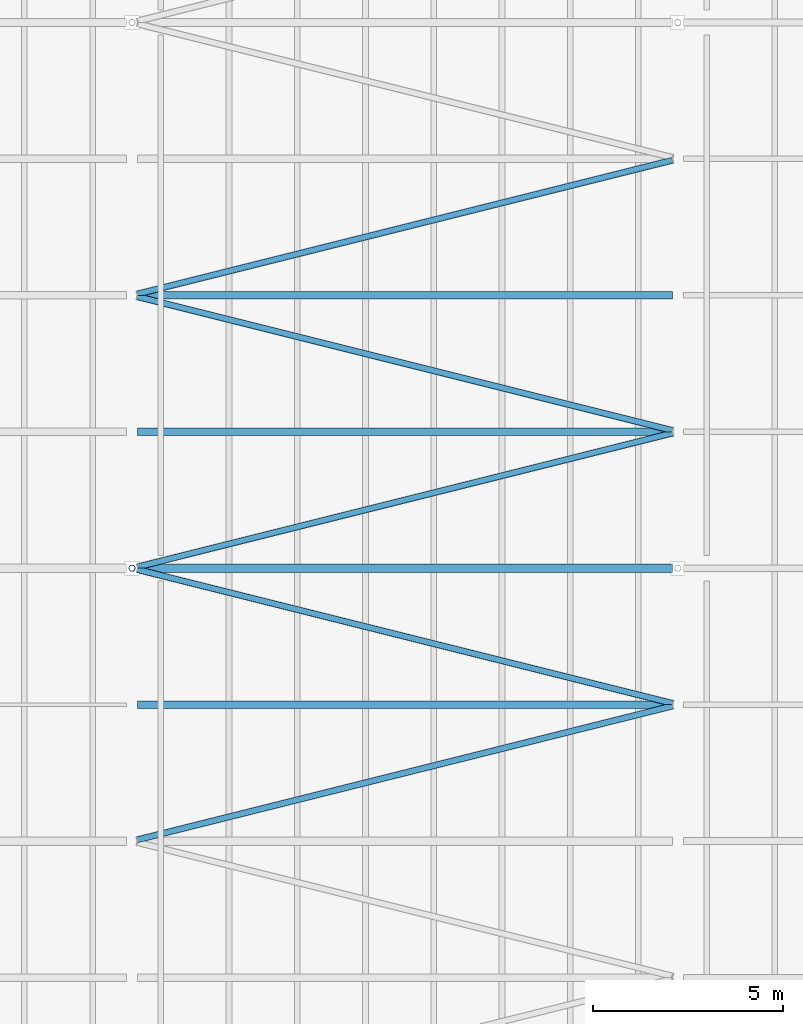
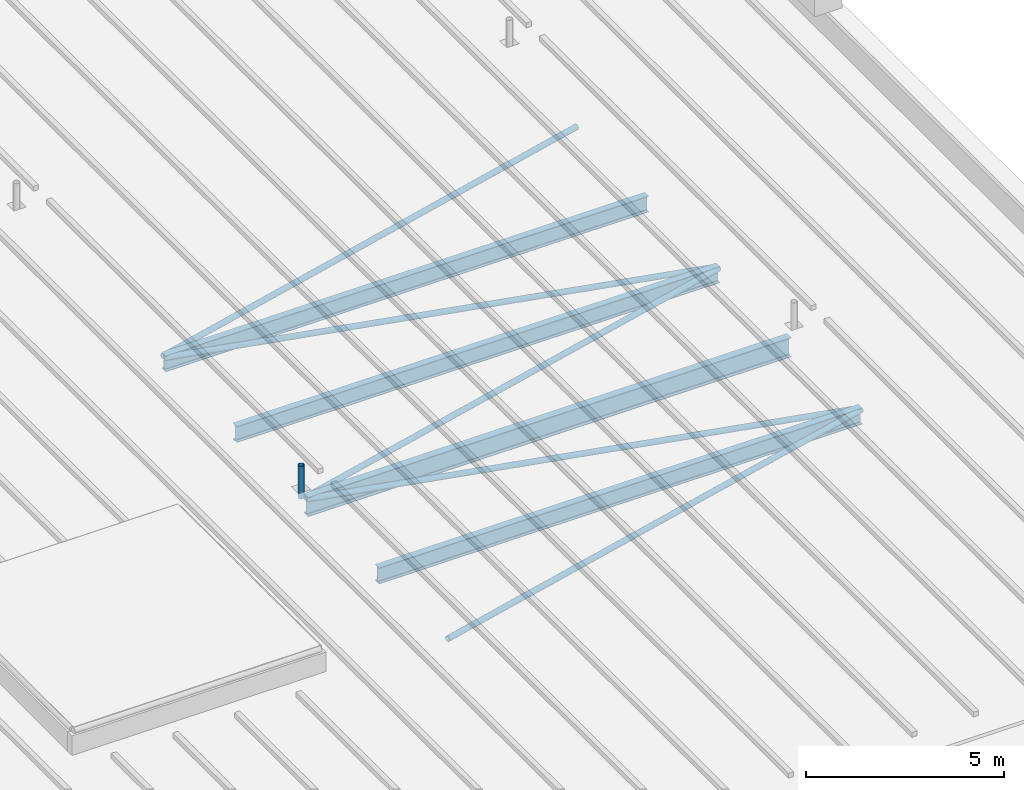
# One storey, part 43 of 120: 6 members, 4 beams.
"""IFC4 building model written with IfcOpenShell, lengths in metres."""

from ifc_helpers import new_model, si_unit, direction, frame, origin, origin_2d, place, context, subcontext, project, spatial, hollow_circle, i_section, extrude, material, material_profile, profile_set, type_object, element, save


model = new_model("IFC4")

# Units and contexts
model_context = context("Model", 3, precision=1e-05, world=origin(), true_north=direction((0.0, 1.0)))
body_context = subcontext(model_context, "Body", "Model", "MODEL_VIEW")
ifc_project = project(units=[si_unit("LENGTHUNIT", "METRE"), si_unit("AREAUNIT", "SQUARE_METRE"), si_unit("VOLUMEUNIT", "CUBIC_METRE"), si_unit("PLANEANGLEUNIT", "RADIAN"), si_unit("MASSUNIT", "GRAM", prefix="KILO")], contexts=[model_context])

# Site, building, storey
site_placement = place(None, origin())
site = spatial("IfcSite", under=ifc_project, at=site_placement, CompositionType="ELEMENT")
building_placement = place(site_placement, origin())
building = spatial("IfcBuilding", under=site, at=building_placement, Name="Kupolbacken Congress Centre", CompositionType="ELEMENT")
storey_placement = place(building_placement, frame((0.0, 0.0, 21.60009765625)))
storey = spatial("IfcBuildingStorey", under=building, at=storey_placement, Name="L06", CompositionType="ELEMENT", Elevation=21.60009765625)

# Beams
ifc_material_1 = material(Name="Steel S355", Category="steel")
ifc_material_profile_1 = material_profile(ifc_material_1, i_section(OverallWidth=0.199951171875, OverallDepth=0.5, WebThickness=0.01025390625, FlangeThickness=0.01611328125, FilletRadius=0.02099609375, at=origin_2d()), Name="IPE 500")
ifc_profile_set_1 = profile_set([ifc_material_profile_1], Name="Steel S355")
beam_type_1 = type_object("IfcBeamType", Name="B09 beam IPE 500", PredefinedType="BEAM", material=ifc_profile_set_1)
for number, where, z_axis, x_axis, name in (
    (1, (180.14501953125, 57.60009765625, -0.25), (1.0, 0.0, 0.0), (0.0, 1.0, 0.0), "HR/P04-07"),
    (2, (180.14501953125, 64.800048828125, -0.25), (1.0, 0.0, 0.0), (0.0, 1.0, 0.0), "HR/P06-07"),
    (3, (180.14501953125, 68.39990234375, -0.25), (1.0, 0.0, 0.0), (0.0, 1.0, 0.0), "HR/P07-07"),
):
    element("IfcBeam", number, at=place(storey_placement, frame(where, z_axis=z_axis, x_axis=x_axis)), inside=storey, type_object=beam_type_1, Name=name, PredefinedType="BEAM", context=body_context, shape_type="SweptSolid", body=[
        extrude(i_section(OverallWidth=0.199951171875, OverallDepth=0.5, WebThickness=0.01025390625, FlangeThickness=0.01611328125, FilletRadius=0.02099609375, at=origin_2d()), origin(), (0.0, 0.0, 1.0), 14.10986328125),
    ])
ifc_material_2 = material(Name="Steel S355", Category="steel")
ifc_material_profile_2 = material_profile(ifc_material_2, i_section(OverallWidth=0.219970703125, OverallDepth=0.60009765625, WebThickness=0.011962890625, FlangeThickness=0.01904296875, FilletRadius=0.02392578125, at=origin_2d()), Name="IPE 600")
ifc_profile_set_2 = profile_set([ifc_material_profile_2], Name="Steel S355")
beam_type_2 = type_object("IfcBeamType", Name="B11 beam IPE 600", PredefinedType="BEAM", material=ifc_profile_set_2)
beam_placement = place(storey_placement, frame((180.14501953125, 61.199951171875, -0.300048828125), z_axis=(1.0, 0.0, 0.0), x_axis=(0.0, 1.0, 0.0)))
element("IfcBeam", 4, at=beam_placement, inside=storey, type_object=beam_type_2, Name="HR/X05-07", PredefinedType="BEAM", context=body_context, shape_type="SweptSolid", body=[
    extrude(i_section(OverallWidth=0.219970703125, OverallDepth=0.60009765625, WebThickness=0.011962890625, FlangeThickness=0.01904296875, FilletRadius=0.02392578125, at=origin_2d()), origin(), (0.0, 0.0, 1.0), 14.10986328125),
])

# Members
ifc_material_3 = material(Name="Steel S355", Category="steel")
ifc_material_profile_3 = material_profile(ifc_material_3, hollow_circle(Radius=0.084228515625, WallThickness=0.008056640625, at=origin_2d()), Name="CHS 168.3 x 8")
ifc_profile_set_3 = profile_set([ifc_material_profile_3], Name="Steel S355")
member_type_1 = type_object("IfcMemberType", Name="M20 transfer truss post CHS 168.3 x 8", PredefinedType="STRUT", material=ifc_profile_set_3)
member_placement = place(storey_placement, frame((180.0, 61.199951171875, -0.010009765625), z_axis=(0.0, 0.0, 1.0), x_axis=(1.0, 0.0, 0.0)))
element("IfcMember", 5, at=member_placement, inside=storey, type_object=member_type_1, Name="Roof stay anchor post M7S.1", PredefinedType="STRUT", context=body_context, shape_type="SweptSolid", body=[
    extrude(hollow_circle(Radius=0.084228515625, WallThickness=0.008056640625, at=origin_2d()), origin(), (0.0, 0.0, 1.0), 1.010009765625),
])
ifc_material_4 = material(Name="Steel S355", Category="steel")
ifc_material_profile_4 = material_profile(ifc_material_4, hollow_circle(Radius=0.084228515625, WallThickness=0.008056640625, at=origin_2d()), Name="CHS 168.3 x 8")
ifc_profile_set_4 = profile_set([ifc_material_profile_4], Name="Steel S355")
member_type_2 = type_object("IfcMemberType", Name="M21 brace CHS 168.3 x 8", PredefinedType="BRACE", material=ifc_profile_set_4)
for number, where, z_axis, x_axis, name in (
    (6, (180.140625, 54.03515625, -0.084228515625), (0.970140526498, 0.24254351949, 0.0), (-0.24254351949, 0.970140526498, 0.0), "HR/RB/07-03"),
    (7, (194.25927734375, 57.63525390625, -0.084228515625), (-0.970144473737, 0.242527730535, 0.0), (-0.242527730535, -0.970144473737, 0.0), "HR/RB/07-04"),
    (8, (180.140625, 61.235107421875, -0.084228515625), (0.970140526498, 0.24254351949, 0.0), (-0.24254351949, 0.970140526498, 0.0), "HR/RB/07-05"),
    (9, (194.25927734375, 64.835205078125, -0.084228515625), (-0.970144473737, 0.242527730535, 0.0), (-0.242527730535, -0.970144473737, 0.0), "HR/RB/07-06"),
    (10, (180.140625, 68.43505859375, -0.084228515625), (0.970140526498, 0.24254351949, 0.0), (-0.24254351949, 0.970140526498, 0.0), "HR/RB/07-07"),
):
    element("IfcMember", number, at=place(storey_placement, frame(where, z_axis=z_axis, x_axis=x_axis)), inside=storey, type_object=member_type_2, Name=name, PredefinedType="BRACE", context=body_context, shape_type="SweptSolid", body=[
        extrude(hollow_circle(Radius=0.084228515625, WallThickness=0.008056640625, at=origin_2d()), origin(), (0.0, 0.0, 1.0), 14.55322265625),
    ])

save(model, "model.ifc")
